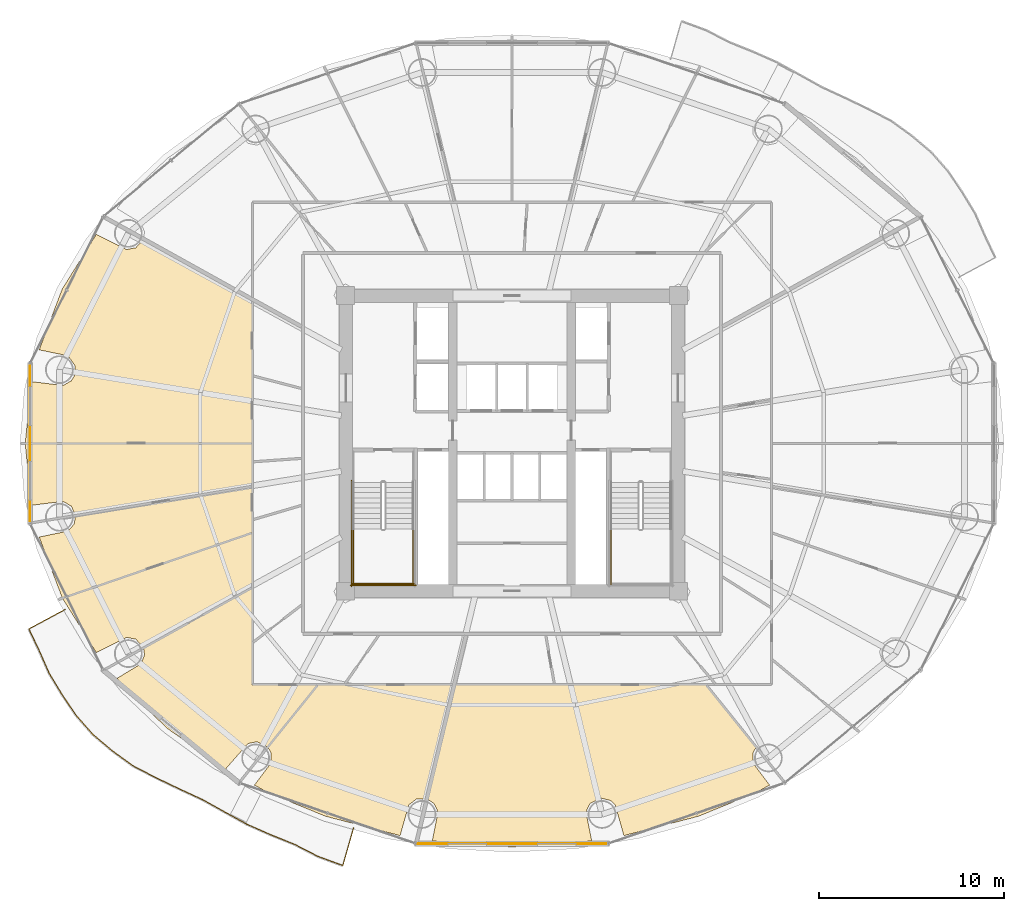
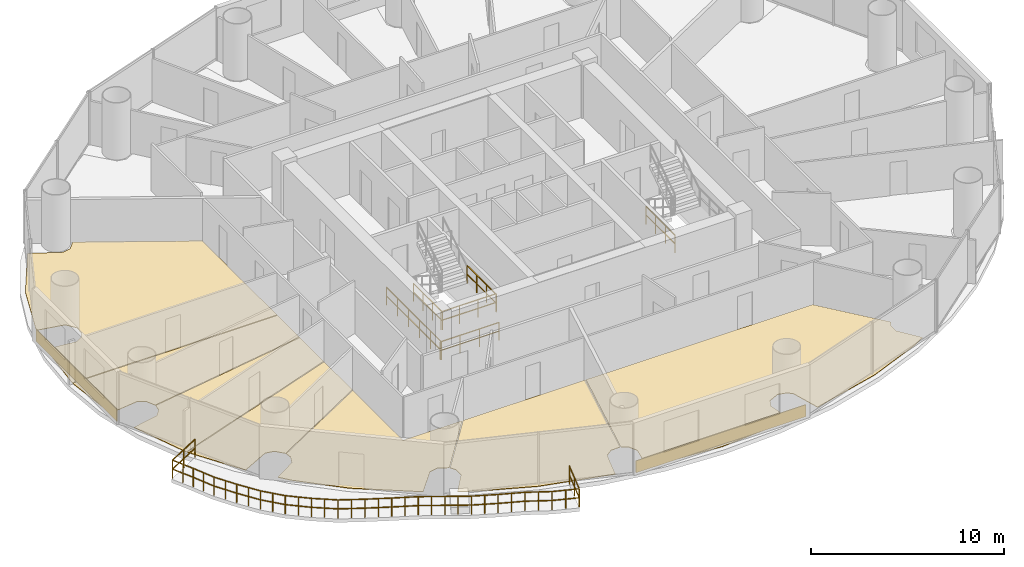
# One storey, part 26 of 29: 9 coverings, 7 railings.
"""IFC4 building model written with IfcOpenShell, lengths in metres."""

from ifc_helpers import new_model, si_unit, direction, frame, origin, origin_2d, place, context, subcontext, project, spatial, polyline, rectangle, outline, extrude, source, transform, mapped, material, layer, layer_set, type_object, element, save


model = new_model("IFC4")

# Units and contexts
model_context = context("Model", 3, precision=1e-05, world=origin(), true_north=direction((-0.2419218956, 0.970295726276)))
body_context = subcontext(model_context, "Body", "Model", "MODEL_VIEW")
ifc_project = project(units=[si_unit("LENGTHUNIT", "METRE"), si_unit("AREAUNIT", "SQUARE_METRE"), si_unit("VOLUMEUNIT", "CUBIC_METRE"), si_unit("PLANEANGLEUNIT", "RADIAN"), si_unit("MASSUNIT", "GRAM", prefix="KILO")], contexts=[model_context])

# Site, building, storey
site_placement = place(None, origin())
site = spatial("IfcSite", under=ifc_project, at=site_placement, CompositionType="ELEMENT")
building_placement = place(site_placement, origin())
building = spatial("IfcBuilding", under=site, at=building_placement, Name="Cobrevalo Terracotta Tower", CompositionType="ELEMENT")
storey_placement = place(building_placement, frame((0.0, 0.0, 97.800048828125)))
storey = spatial("IfcBuildingStorey", under=building, at=storey_placement, Name="L25", CompositionType="ELEMENT", Elevation=97.800048828125)

# Railing
ifc_material_1 = material(Name="Laminated structural glass and stainless steel", Category="steel")
railing_type_1 = type_object("IfcRailingType", Name="Balcony lobe structural glass & terracotta-cap balustrade 1180 mm", PredefinedType="BALUSTRADE", material=ifc_material_1)
railing_1_placement = place(storey_placement, frame((13.8369140625, 17.822265625, 0.0)))
element("IfcRailing", 1, at=railing_1_placement, inside=storey, type_object=railing_type_1, Name="L25 spiralling balcony lobe balustrade 2", PredefinedType="BALUSTRADE", context=body_context, shape_type="SweptSolid", body=[
    extrude(rectangle(XDim=0.048095703125, YDim=0.048095703125, at=origin_2d()), frame((0.0, 0.0, 1.15576171875), z_axis=(-0.880654656623, -0.473758773817, 0.0), x_axis=(0.473758773817, -0.880654656623, 0.0)), (0.0, 0.0, 1.0), 2.219970703125),
    extrude(rectangle(XDim=0.048095703125, YDim=0.048095703125, at=origin_2d()), frame((0.0, 0.0, 0.58984375), z_axis=(-0.880654656623, -0.473758773817, 0.0), x_axis=(0.473758773817, -0.880654656623, 0.0)), (0.0, 0.0, 1.0), 2.219970703125),
    extrude(rectangle(XDim=0.048095703125, YDim=0.048095703125, at=origin_2d()), frame((-1.955078125, -1.0517578125, 1.15576171875), z_axis=(0.428935186833, -0.903335267493, 0.0), x_axis=(0.903335267493, 0.428935186833, 0.0)), (0.0, 0.0, 1.0), 1.310302734375),
    extrude(rectangle(XDim=0.048095703125, YDim=0.048095703125, at=origin_2d()), frame((-1.955078125, -1.0517578125, 0.58984375), z_axis=(0.428935186833, -0.903335267493, 0.0), x_axis=(0.903335267493, 0.428935186833, 0.0)), (0.0, 0.0, 1.0), 1.310302734375),
    extrude(rectangle(XDim=0.048095703125, YDim=0.048095703125, at=origin_2d()), frame((-1.39306640625, -2.2353515625, 1.15576171875), z_axis=(0.402369319242, -0.915477433328, 0.0), x_axis=(0.915477433328, 0.402369319242, 0.0)), (0.0, 0.0, 1.0), 1.329345703125),
    extrude(rectangle(XDim=0.048095703125, YDim=0.048095703125, at=origin_2d()), frame((-1.39306640625, -2.2353515625, 0.58984375), z_axis=(0.402369319242, -0.915477433328, 0.0), x_axis=(0.915477433328, 0.402369319242, 0.0)), (0.0, 0.0, 1.0), 1.329345703125),
    extrude(rectangle(XDim=0.048095703125, YDim=0.048095703125, at=origin_2d()), frame((-0.858154296875, -3.452392578125, 1.15576171875), z_axis=(0.518425944482, -0.855122529283, 0.0), x_axis=(0.855122529283, 0.518425944482, 0.0)), (0.0, 0.0, 1.0), 1.35009765625),
    extrude(rectangle(XDim=0.048095703125, YDim=0.048095703125, at=origin_2d()), frame((-0.858154296875, -3.452392578125, 0.58984375), z_axis=(0.518425944482, -0.855122529283, 0.0), x_axis=(0.855122529283, 0.518425944482, 0.0)), (0.0, 0.0, 1.0), 1.35009765625),
    extrude(rectangle(XDim=0.048095703125, YDim=0.048095703125, at=origin_2d()), frame((-0.158203125, -4.60693359375, 1.15576171875), z_axis=(0.560167798675, -0.82837916278, 0.0), x_axis=(0.82837916278, 0.560167798675, 0.0)), (0.0, 0.0, 1.0), 1.357177734375),
    extrude(rectangle(XDim=0.048095703125, YDim=0.048095703125, at=origin_2d()), frame((-0.158203125, -4.60693359375, 0.58984375), z_axis=(0.560167798675, -0.82837916278, 0.0), x_axis=(0.82837916278, 0.560167798675, 0.0)), (0.0, 0.0, 1.0), 1.357177734375),
    extrude(rectangle(XDim=0.048095703125, YDim=0.048095703125, at=origin_2d()), frame((0.60205078125, -5.731201171875, 1.15576171875), z_axis=(0.660430011855, -0.750887607729, 0.0), x_axis=(0.750887607729, 0.660430011855, 0.0)), (0.0, 0.0, 1.0), 1.363037109375),
    extrude(rectangle(XDim=0.048095703125, YDim=0.048095703125, at=origin_2d()), frame((0.60205078125, -5.731201171875, 0.58984375), z_axis=(0.660430011855, -0.750887607729, 0.0), x_axis=(0.750887607729, 0.660430011855, 0.0)), (0.0, 0.0, 1.0), 1.363037109375),
    extrude(rectangle(XDim=0.048095703125, YDim=0.048095703125, at=origin_2d()), frame((1.502197265625, -6.754638671875, 1.15576171875), z_axis=(0.764324152968, -0.64483221786, 0.0), x_axis=(0.64483221786, 0.764324152968, 0.0)), (0.0, 0.0, 1.0), 1.381103515625),
    extrude(rectangle(XDim=0.048095703125, YDim=0.048095703125, at=origin_2d()), frame((1.502197265625, -6.754638671875, 0.58984375), z_axis=(0.764324152968, -0.64483221786, 0.0), x_axis=(0.64483221786, 0.764324152968, 0.0)), (0.0, 0.0, 1.0), 1.381103515625),
    extrude(rectangle(XDim=0.048095703125, YDim=0.048095703125, at=origin_2d()), frame((2.557861328125, -7.645263671875, 1.15576171875), z_axis=(0.809511240911, -0.587104378146, 0.0), x_axis=(0.587104378146, 0.809511240911, 0.0)), (0.0, 0.0, 1.0), 1.374267578125),
    extrude(rectangle(XDim=0.048095703125, YDim=0.048095703125, at=origin_2d()), frame((2.557861328125, -7.645263671875, 0.58984375), z_axis=(0.809511240911, -0.587104378146, 0.0), x_axis=(0.587104378146, 0.809511240911, 0.0)), (0.0, 0.0, 1.0), 1.374267578125),
    extrude(rectangle(XDim=0.048095703125, YDim=0.048095703125, at=origin_2d()), frame((3.67041015625, -8.4521484375, 1.15576171875), z_axis=(0.888024760842, -0.459795633006, 0.0), x_axis=(0.459795633006, 0.888024760842, 0.0)), (0.0, 0.0, 1.0), 1.40771484375),
    extrude(rectangle(XDim=0.048095703125, YDim=0.048095703125, at=origin_2d()), frame((3.67041015625, -8.4521484375, 0.58984375), z_axis=(0.888024760842, -0.459795633006, 0.0), x_axis=(0.459795633006, 0.888024760842, 0.0)), (0.0, 0.0, 1.0), 1.40771484375),
    extrude(rectangle(XDim=0.048095703125, YDim=0.048095703125, at=origin_2d()), frame((4.92041015625, -9.099365234375, 1.15576171875), z_axis=(0.90187008951, -0.432007339806, 0.0), x_axis=(0.432007339806, 0.90187008951, 0.0)), (0.0, 0.0, 1.0), 1.39306640625),
    extrude(rectangle(XDim=0.048095703125, YDim=0.048095703125, at=origin_2d()), frame((4.92041015625, -9.099365234375, 0.58984375), z_axis=(0.90187008951, -0.432007339806, 0.0), x_axis=(0.432007339806, 0.90187008951, 0.0)), (0.0, 0.0, 1.0), 1.39306640625),
    extrude(rectangle(XDim=0.048095703125, YDim=0.048095703125, at=origin_2d()), frame((6.1767578125, -9.701171875, 1.15576171875), z_axis=(0.907907568428, -0.419170427381, 0.0), x_axis=(0.419170427381, 0.907907568428, 0.0)), (0.0, 0.0, 1.0), 1.379150390625),
    extrude(rectangle(XDim=0.048095703125, YDim=0.048095703125, at=origin_2d()), frame((6.1767578125, -9.701171875, 0.58984375), z_axis=(0.907907568428, -0.419170427381, 0.0), x_axis=(0.419170427381, 0.907907568428, 0.0)), (0.0, 0.0, 1.0), 1.379150390625),
    extrude(rectangle(XDim=0.048095703125, YDim=0.048095703125, at=origin_2d()), frame((7.428955078125, -10.279296875, 1.15576171875), z_axis=(0.873923476072, -0.486063532855, 0.0), x_axis=(0.486063532855, 0.873923476072, 0.0)), (0.0, 0.0, 1.0), 1.3798828125),
    extrude(rectangle(XDim=0.048095703125, YDim=0.048095703125, at=origin_2d()), frame((7.428955078125, -10.279296875, 0.58984375), z_axis=(0.873923476072, -0.486063532855, 0.0), x_axis=(0.486063532855, 0.873923476072, 0.0)), (0.0, 0.0, 1.0), 1.3798828125),
    extrude(rectangle(XDim=0.048095703125, YDim=0.048095703125, at=origin_2d()), frame((8.634765625, -10.949951171875, 1.15576171875), z_axis=(0.875316536737, -0.483550370194, 0.0), x_axis=(0.483550370194, 0.875316536737, 0.0)), (0.0, 0.0, 1.0), 1.3779296875),
    extrude(rectangle(XDim=0.048095703125, YDim=0.048095703125, at=origin_2d()), frame((8.634765625, -10.949951171875, 0.58984375), z_axis=(0.875316536737, -0.483550370194, 0.0), x_axis=(0.483550370194, 0.875316536737, 0.0)), (0.0, 0.0, 1.0), 1.3779296875),
    extrude(rectangle(XDim=0.048095703125, YDim=0.048095703125, at=origin_2d()), frame((9.8408203125, -11.6162109375, 1.15576171875), z_axis=(0.914984335879, -0.403489361814, 0.0), x_axis=(0.403489361814, 0.914984335879, 0.0)), (0.0, 0.0, 1.0), 1.394775390625),
    extrude(rectangle(XDim=0.048095703125, YDim=0.048095703125, at=origin_2d()), frame((9.8408203125, -11.6162109375, 0.58984375), z_axis=(0.914984335879, -0.403489361814, 0.0), x_axis=(0.403489361814, 0.914984335879, 0.0)), (0.0, 0.0, 1.0), 1.394775390625),
    extrude(rectangle(XDim=0.048095703125, YDim=0.048095703125, at=origin_2d()), frame((11.116943359375, -12.178955078125, 1.15576171875), z_axis=(0.927632534186, -0.373494151922, 0.0), x_axis=(0.373494151922, 0.927632534186, 0.0)), (0.0, 0.0, 1.0), 1.400146484375),
    extrude(rectangle(XDim=0.048095703125, YDim=0.048095703125, at=origin_2d()), frame((11.116943359375, -12.178955078125, 0.58984375), z_axis=(0.927632534186, -0.373494151922, 0.0), x_axis=(0.373494151922, 0.927632534186, 0.0)), (0.0, 0.0, 1.0), 1.400146484375),
    extrude(rectangle(XDim=0.048095703125, YDim=0.048095703125, at=origin_2d()), frame((12.415771484375, -12.701904296875, 1.15576171875), z_axis=(0.889093541304, -0.457725545291, 0.0), x_axis=(0.457725545291, 0.889093541304, 0.0)), (0.0, 0.0, 1.0), 1.417236328125),
    extrude(rectangle(XDim=0.048095703125, YDim=0.048095703125, at=origin_2d()), frame((12.415771484375, -12.701904296875, 0.58984375), z_axis=(0.889093541304, -0.457725545291, 0.0), x_axis=(0.457725545291, 0.889093541304, 0.0)), (0.0, 0.0, 1.0), 1.417236328125),
    extrude(rectangle(XDim=0.048095703125, YDim=0.048095703125, at=origin_2d()), frame((13.67578125, -13.3505859375, 1.15576171875), z_axis=(0.938977530428, -0.343978483849, 0.0), x_axis=(0.343978483849, 0.938977530428, 0.0)), (0.0, 0.0, 1.0), 1.4287109375),
    extrude(rectangle(XDim=0.048095703125, YDim=0.048095703125, at=origin_2d()), frame((13.67578125, -13.3505859375, 0.58984375), z_axis=(0.938977530428, -0.343978483849, 0.0), x_axis=(0.343978483849, 0.938977530428, 0.0)), (0.0, 0.0, 1.0), 1.4287109375),
    extrude(rectangle(XDim=0.048095703125, YDim=0.048095703125, at=origin_2d()), frame((15.017333984375, -13.842041015625, 1.15576171875), z_axis=(0.27399121644, 0.961732194176, 0.0), x_axis=(-0.961732194176, 0.27399121644, 0.0)), (0.0, 0.0, 1.0), 2.12060546875),
    extrude(rectangle(XDim=0.048095703125, YDim=0.048095703125, at=origin_2d()), frame((15.017333984375, -13.842041015625, 0.58984375), z_axis=(0.27399121644, 0.961732194176, 0.0), x_axis=(-0.961732194176, 0.27399121644, 0.0)), (0.0, 0.0, 1.0), 2.12060546875),
    extrude(rectangle(XDim=0.0419921875, YDim=0.0419921875, at=origin_2d()), origin(), (0.0, 0.0, 1.0), 1.1318359375),
    extrude(rectangle(XDim=0.0419921875, YDim=0.0419921875, at=origin_2d()), frame((-0.9775390625, -0.52587890625, 0.0)), (0.0, 0.0, 1.0), 1.1318359375),
    extrude(rectangle(XDim=0.0419921875, YDim=0.0419921875, at=origin_2d()), frame((-1.955078125, -1.0517578125, 0.0)), (0.0, 0.0, 1.0), 1.1318359375),
    extrude(rectangle(XDim=0.0419921875, YDim=0.0419921875, at=origin_2d()), frame((-1.674072265625, -1.6435546875, 0.0)), (0.0, 0.0, 1.0), 1.1318359375),
    extrude(rectangle(XDim=0.0419921875, YDim=0.0419921875, at=origin_2d()), frame((-1.39306640625, -2.2353515625, 0.0)), (0.0, 0.0, 1.0), 1.1318359375),
    extrude(rectangle(XDim=0.0419921875, YDim=0.0419921875, at=origin_2d()), frame((-1.12548828125, -2.84375, 0.0)), (0.0, 0.0, 1.0), 1.1318359375),
    extrude(rectangle(XDim=0.0419921875, YDim=0.0419921875, at=origin_2d()), frame((-0.858154296875, -3.452392578125, 0.0)), (0.0, 0.0, 1.0), 1.1318359375),
    extrude(rectangle(XDim=0.0419921875, YDim=0.0419921875, at=origin_2d()), frame((-0.50830078125, -4.02978515625, 0.0)), (0.0, 0.0, 1.0), 1.1318359375),
    extrude(rectangle(XDim=0.0419921875, YDim=0.0419921875, at=origin_2d()), frame((-0.158203125, -4.60693359375, 0.0)), (0.0, 0.0, 1.0), 1.1318359375),
    extrude(rectangle(XDim=0.0419921875, YDim=0.0419921875, at=origin_2d()), frame((0.221923828125, -5.1689453125, 0.0)), (0.0, 0.0, 1.0), 1.1318359375),
    extrude(rectangle(XDim=0.0419921875, YDim=0.0419921875, at=origin_2d()), frame((0.60205078125, -5.731201171875, 0.0)), (0.0, 0.0, 1.0), 1.1318359375),
    extrude(rectangle(XDim=0.0419921875, YDim=0.0419921875, at=origin_2d()), frame((1.05224609375, -6.242919921875, 0.0)), (0.0, 0.0, 1.0), 1.1318359375),
    extrude(rectangle(XDim=0.0419921875, YDim=0.0419921875, at=origin_2d()), frame((1.502197265625, -6.754638671875, 0.0)), (0.0, 0.0, 1.0), 1.1318359375),
    extrude(rectangle(XDim=0.0419921875, YDim=0.0419921875, at=origin_2d()), frame((2.030029296875, -7.199951171875, 0.0)), (0.0, 0.0, 1.0), 1.1318359375),
    extrude(rectangle(XDim=0.0419921875, YDim=0.0419921875, at=origin_2d()), frame((2.557861328125, -7.645263671875, 0.0)), (0.0, 0.0, 1.0), 1.1318359375),
    extrude(rectangle(XDim=0.0419921875, YDim=0.0419921875, at=origin_2d()), frame((3.1142578125, -8.048828125, 0.0)), (0.0, 0.0, 1.0), 1.1318359375),
    extrude(rectangle(XDim=0.0419921875, YDim=0.0419921875, at=origin_2d()), frame((3.67041015625, -8.4521484375, 0.0)), (0.0, 0.0, 1.0), 1.1318359375),
    extrude(rectangle(XDim=0.0419921875, YDim=0.0419921875, at=origin_2d()), frame((4.29541015625, -8.77587890625, 0.0)), (0.0, 0.0, 1.0), 1.1318359375),
    extrude(rectangle(XDim=0.0419921875, YDim=0.0419921875, at=origin_2d()), frame((4.92041015625, -9.099365234375, 0.0)), (0.0, 0.0, 1.0), 1.1318359375),
    extrude(rectangle(XDim=0.0419921875, YDim=0.0419921875, at=origin_2d()), frame((5.548583984375, -9.400390625, 0.0)), (0.0, 0.0, 1.0), 1.1318359375),
    extrude(rectangle(XDim=0.0419921875, YDim=0.0419921875, at=origin_2d()), frame((6.1767578125, -9.701171875, 0.0)), (0.0, 0.0, 1.0), 1.1318359375),
    extrude(rectangle(XDim=0.0419921875, YDim=0.0419921875, at=origin_2d()), frame((6.802734375, -9.990234375, 0.0)), (0.0, 0.0, 1.0), 1.1318359375),
    extrude(rectangle(XDim=0.0419921875, YDim=0.0419921875, at=origin_2d()), frame((7.428955078125, -10.279296875, 0.0)), (0.0, 0.0, 1.0), 1.1318359375),
    extrude(rectangle(XDim=0.0419921875, YDim=0.0419921875, at=origin_2d()), frame((8.03173828125, -10.61474609375, 0.0)), (0.0, 0.0, 1.0), 1.1318359375),
    extrude(rectangle(XDim=0.0419921875, YDim=0.0419921875, at=origin_2d()), frame((8.634765625, -10.949951171875, 0.0)), (0.0, 0.0, 1.0), 1.1318359375),
    extrude(rectangle(XDim=0.0419921875, YDim=0.0419921875, at=origin_2d()), frame((9.23779296875, -11.283203125, 0.0)), (0.0, 0.0, 1.0), 1.1318359375),
    extrude(rectangle(XDim=0.0419921875, YDim=0.0419921875, at=origin_2d()), frame((9.8408203125, -11.6162109375, 0.0)), (0.0, 0.0, 1.0), 1.1318359375),
    extrude(rectangle(XDim=0.0419921875, YDim=0.0419921875, at=origin_2d()), frame((10.47900390625, -11.8974609375, 0.0)), (0.0, 0.0, 1.0), 1.1318359375),
    extrude(rectangle(XDim=0.0419921875, YDim=0.0419921875, at=origin_2d()), frame((11.116943359375, -12.178955078125, 0.0)), (0.0, 0.0, 1.0), 1.1318359375),
    extrude(rectangle(XDim=0.0419921875, YDim=0.0419921875, at=origin_2d()), frame((11.766357421875, -12.4404296875, 0.0)), (0.0, 0.0, 1.0), 1.1318359375),
    extrude(rectangle(XDim=0.0419921875, YDim=0.0419921875, at=origin_2d()), frame((12.415771484375, -12.701904296875, 0.0)), (0.0, 0.0, 1.0), 1.1318359375),
    extrude(rectangle(XDim=0.0419921875, YDim=0.0419921875, at=origin_2d()), frame((13.0458984375, -13.0263671875, 0.0)), (0.0, 0.0, 1.0), 1.1318359375),
    extrude(rectangle(XDim=0.0419921875, YDim=0.0419921875, at=origin_2d()), frame((13.67578125, -13.3505859375, 0.0)), (0.0, 0.0, 1.0), 1.1318359375),
    extrude(rectangle(XDim=0.0419921875, YDim=0.0419921875, at=origin_2d()), frame((14.3466796875, -13.59619140625, 0.0)), (0.0, 0.0, 1.0), 1.1318359375),
    extrude(rectangle(XDim=0.0419921875, YDim=0.0419921875, at=origin_2d()), frame((15.017333984375, -13.842041015625, 0.0)), (0.0, 0.0, 1.0), 1.1318359375),
    extrude(rectangle(XDim=0.0419921875, YDim=0.0419921875, at=origin_2d()), frame((15.307861328125, -12.822265625, 0.0)), (0.0, 0.0, 1.0), 1.1318359375),
    extrude(rectangle(XDim=0.0419921875, YDim=0.0419921875, at=origin_2d()), frame((15.598388671875, -11.802490234375, 0.0)), (0.0, 0.0, 1.0), 1.1318359375),
])

# Coverings
ifc_material_2 = material(Name="Engineered Brazilian hardwood flooring", Category="wood")
ifc_layer_1 = layer(ifc_material_2, 0.028076171875)
ifc_layer_set_1 = layer_set([ifc_layer_1], Name="Engineered Brazilian hardwood flooring")
covering_type_1 = type_object("IfcCoveringType", Name="Engineered Hardwood Suite Flooring 28", PredefinedType="FLOORING", material=ifc_layer_set_1)
covering_1_placement = place(storey_placement, origin())
element("IfcCovering", 2, at=covering_1_placement, inside=storey, type_object=covering_type_1, Name="Flat L25B Penthouse Living and Dining Room floor finish", PredefinedType="FLOORING", context=body_context, shape_type="SweptSolid", body=[
    extrude(outline(polyline([(12.024169921875, 30.143310546875), (13.73095703125, 29.932861328125), (14.1728515625, 30.189208984375), (14.353759765625, 30.481201171875), (14.38623046875, 30.9912109375), (13.99267578125, 31.537841796875), (12.435791015625, 31.859619140625), (13.682861328125, 35.14892578125), (15.525146484375, 38.10546875), (17.15966796875, 37.286376953125), (17.661865234375, 37.381103515625), (18.0703125, 37.8408203125), (23.945068359375, 34.57958984375), (23.945068359375, 26.820068359375), (11.681640625, 26.820068359375), (12.024169921875, 30.143310546875)])), origin(), (0.0, 0.0, 1.0), 0.030029296875),
])
covering_2_placement = place(storey_placement, origin())
element("IfcCovering", 3, at=covering_2_placement, inside=storey, type_object=covering_type_1, Name="Flat L25B Master Bedroom floor finish", PredefinedType="FLOORING", context=body_context, shape_type="SweptSolid", body=[
    extrude(outline(polyline([(11.681640625, 26.780029296875), (23.945068359375, 26.780029296875), (23.945068359375, 24.49755859375), (14.39697265625, 22.919677734375), (14.1728515625, 23.41064453125), (13.73095703125, 23.6669921875), (12.024169921875, 23.45654296875), (11.681640625, 26.780029296875)])), origin(), (0.0, 0.0, 1.0), 0.030029296875),
])
covering_3_placement = place(storey_placement, origin())
element("IfcCovering", 4, at=covering_3_placement, inside=storey, type_object=covering_type_1, Name="Flat L25B Principal Guest Bedroom floor finish", PredefinedType="FLOORING", context=body_context, shape_type="SweptSolid", body=[
    extrude(outline(polyline([(13.6845703125, 18.453369140625), (12.435791015625, 21.740478515625), (13.99267578125, 22.06201171875), (14.330322265625, 22.445556640625), (14.402587890625, 22.8798828125), (23.945068359375, 24.45703125), (23.945068359375, 21.984375), (13.6845703125, 18.453369140625)])), origin(), (0.0, 0.0, 1.0), 0.030029296875),
])
covering_4_placement = place(storey_placement, origin())
element("IfcCovering", 5, at=covering_4_placement, inside=storey, type_object=covering_type_1, Name="Flat L25B North Bedroom floor finish", PredefinedType="FLOORING", context=body_context, shape_type="SweptSolid", body=[
    extrude(outline(polyline([(13.703125, 18.417236328125), (23.945068359375, 21.94189453125), (23.945068359375, 19.020263671875), (18.0703125, 15.759033203125), (17.661865234375, 16.218994140625), (17.15966796875, 16.3134765625), (15.525146484375, 15.49462890625), (13.703125, 18.417236328125)])), origin(), (0.0, 0.0, 1.0), 0.030029296875),
])
covering_5_placement = place(storey_placement, origin())
element("IfcCovering", 6, at=covering_5_placement, inside=storey, type_object=covering_type_1, Name="Flat L25B Penthouse Family Lounge floor finish", PredefinedType="FLOORING", context=body_context, shape_type="SweptSolid", body=[
    extrude(outline(polyline([(19.3876953125, 11.372314453125), (17.117919921875, 13.518310546875), (16.64697265625, 14.102294921875), (17.94091796875, 14.88720703125), (18.131591796875, 15.361328125), (18.083740234375, 15.720703125), (23.945068359375, 18.974609375), (23.945068359375, 13.7451171875), (27.47509765625, 13.7451171875), (24.780029296875, 10.393798828125), (24.221923828125, 10.672607421875), (23.72119140625, 10.5712890625), (22.511474609375, 9.193359375), (19.3876953125, 11.372314453125)])), origin(), (0.0, 0.0, 1.0), 0.030029296875),
])
covering_6_placement = place(storey_placement, origin())
element("IfcCovering", 7, at=covering_6_placement, inside=storey, type_object=covering_type_1, Name="Flat L25B Penthouse Family Lounge floor finish", PredefinedType="FLOORING", context=body_context, shape_type="SweptSolid", body=[
    extrude(outline(polyline([(24.07568359375, 8.32666015625), (24.9814453125, 9.543701171875), (24.97998046875, 10.0546875), (24.806640625, 10.36328125), (27.5263671875, 13.7451171875), (34.853759765625, 13.7451171875), (33.37890625, 7.584716796875), (32.829833984375, 7.5693359375), (32.421875, 7.261962890625), (31.94921875, 5.59814453125), (27.926513671875, 6.641357421875), (24.838623046875, 7.904052734375), (24.07568359375, 8.32666015625)])), origin(), (0.0, 0.0, 1.0), 0.030029296875),
])
covering_7_placement = place(storey_placement, origin())
element("IfcCovering", 8, at=covering_7_placement, inside=storey, type_object=covering_type_1, Name="Flat L25C Penthouse Living and Dining Room floor finish", PredefinedType="FLOORING", context=body_context, shape_type="SweptSolid", body=[
    extrude(outline(polyline([(48.073486328125, 6.641357421875), (44.05078125, 5.59814453125), (43.578125, 7.261962890625), (43.325439453125, 7.494384765625), (42.830810546875, 7.622314453125), (42.2197265625, 7.3388671875), (41.997802734375, 6.87841796875), (42.3095703125, 5.310791015625), (38.0, 4.97998046875), (33.6904296875, 5.310791015625), (34.002197265625, 6.87841796875), (33.7802734375, 7.3388671875), (33.4169921875, 7.5712890625), (34.89501953125, 13.7451171875), (48.4736328125, 13.7451171875), (51.193359375, 10.36328125), (51.02001953125, 10.0546875), (51.0185546875, 9.543701171875), (51.92431640625, 8.32666015625), (51.161376953125, 7.904052734375), (48.073486328125, 6.641357421875)])), origin(), (0.0, 0.0, 1.0), 0.030029296875),
])

# Railings
ifc_material_3 = material(Name="Painted galvanized steel", Category="steel")
railing_type_2 = type_object("IfcRailingType", Name="Stair Well Guard Balustrade 1150", PredefinedType="GUARDRAIL", material=ifc_material_3)
for number, where, name in (
    (9, (29.425048828125, 22.179931640625, 1.800048828125), "L25 ST-1 stair guard 3"),
    (10, (32.64501953125, 22.179931640625, 1.800048828125), "L25 ST-1 stair guard 4"),
):
    element("IfcRailing", number, at=place(storey_placement, frame(where)), inside=storey, type_object=railing_type_2, Name=name, PredefinedType="GUARDRAIL", context=body_context, shape_type="SweptSolid", body=[
        extrude(rectangle(XDim=0.048095703125, YDim=0.048095703125, at=origin_2d()), frame((0.0, 0.0, 1.1259765625), z_axis=(0.0, -1.0, 0.0), x_axis=(1.0, 0.0, 0.0)), (0.0, 0.0, 1.0), 3.0048828125),
        extrude(rectangle(XDim=0.048095703125, YDim=0.048095703125, at=origin_2d()), frame((0.0, 0.0, 0.574951171875), z_axis=(0.0, -1.0, 0.0), x_axis=(1.0, 0.0, 0.0)), (0.0, 0.0, 1.0), 3.0048828125),
        extrude(rectangle(XDim=0.0419921875, YDim=0.0419921875, at=origin_2d()), origin(), (0.0, 0.0, 1.0), 1.101806640625),
        extrude(rectangle(XDim=0.0419921875, YDim=0.0419921875, at=origin_2d()), frame((0.0, -1.001708984375, 0.0)), (0.0, 0.0, 1.0), 1.101806640625),
        extrude(rectangle(XDim=0.0419921875, YDim=0.0419921875, at=origin_2d()), frame((0.0, -2.003173828125, 0.0)), (0.0, 0.0, 1.0), 1.101806640625),
        extrude(rectangle(XDim=0.0419921875, YDim=0.0419921875, at=origin_2d()), frame((0.0, -3.0048828125, 0.0)), (0.0, 0.0, 1.0), 1.101806640625),
    ])
railing_2_placement = place(storey_placement, frame((29.375, 19.22509765625, 1.800048828125)))
element("IfcRailing", 11, at=railing_2_placement, inside=storey, type_object=railing_type_2, Name="L25 ST-1 stair guard 5", PredefinedType="GUARDRAIL", context=body_context, shape_type="SweptSolid", body=[
    extrude(rectangle(XDim=0.048095703125, YDim=0.048095703125, at=origin_2d()), frame((0.0, 0.0, 1.1259765625), z_axis=(1.0, 0.0, 0.0), x_axis=(0.0, 1.0, 0.0)), (0.0, 0.0, 1.0), 3.320068359375),
    extrude(rectangle(XDim=0.048095703125, YDim=0.048095703125, at=origin_2d()), frame((0.0, 0.0, 0.574951171875), z_axis=(1.0, 0.0, 0.0), x_axis=(0.0, 1.0, 0.0)), (0.0, 0.0, 1.0), 3.320068359375),
    extrude(rectangle(XDim=0.0419921875, YDim=0.0419921875, at=origin_2d()), origin(), (0.0, 0.0, 1.0), 1.101806640625),
    extrude(rectangle(XDim=0.0419921875, YDim=0.0419921875, at=origin_2d()), frame((1.106689453125, 0.0, 0.0)), (0.0, 0.0, 1.0), 1.101806640625),
    extrude(rectangle(XDim=0.0419921875, YDim=0.0419921875, at=origin_2d()), frame((2.21337890625, 0.0, 0.0)), (0.0, 0.0, 1.0), 1.101806640625),
    extrude(rectangle(XDim=0.0419921875, YDim=0.0419921875, at=origin_2d()), frame((3.320068359375, 0.0, 0.0)), (0.0, 0.0, 1.0), 1.101806640625),
])
railing_3_placement = place(storey_placement, frame((29.324951171875, 24.800048828125, 0.0)))
element("IfcRailing", 12, at=railing_3_placement, inside=storey, type_object=railing_type_2, Name="L25 ST-1 stair guard 10", PredefinedType="GUARDRAIL", context=body_context, shape_type="SweptSolid", body=[
    extrude(rectangle(XDim=0.048095703125, YDim=0.048095703125, at=origin_2d()), frame((0.0, 0.0, 1.1259765625), z_axis=(0.0, -1.0, 0.0), x_axis=(1.0, 0.0, 0.0)), (0.0, 0.0, 1.0), 5.72509765625),
    extrude(rectangle(XDim=0.048095703125, YDim=0.048095703125, at=origin_2d()), frame((0.0, 0.0, 0.574951171875), z_axis=(0.0, -1.0, 0.0), x_axis=(1.0, 0.0, 0.0)), (0.0, 0.0, 1.0), 5.72509765625),
    extrude(rectangle(XDim=0.0419921875, YDim=0.0419921875, at=origin_2d()), origin(), (0.0, 0.0, 1.0), 1.101806640625),
    extrude(rectangle(XDim=0.0419921875, YDim=0.0419921875, at=origin_2d()), frame((0.0, -1.14501953125, 0.0)), (0.0, 0.0, 1.0), 1.101806640625),
    extrude(rectangle(XDim=0.0419921875, YDim=0.0419921875, at=origin_2d()), frame((0.0, -2.2900390625, 0.0)), (0.0, 0.0, 1.0), 1.101806640625),
    extrude(rectangle(XDim=0.0419921875, YDim=0.0419921875, at=origin_2d()), frame((0.0, -3.43505859375, 0.0)), (0.0, 0.0, 1.0), 1.101806640625),
    extrude(rectangle(XDim=0.0419921875, YDim=0.0419921875, at=origin_2d()), frame((0.0, -4.580078125, 0.0)), (0.0, 0.0, 1.0), 1.101806640625),
    extrude(rectangle(XDim=0.0419921875, YDim=0.0419921875, at=origin_2d()), frame((0.0, -5.72509765625, 0.0)), (0.0, 0.0, 1.0), 1.101806640625),
])
railing_4_placement = place(storey_placement, frame((29.27490234375, 19.125, 0.0)))
element("IfcRailing", 13, at=railing_4_placement, inside=storey, type_object=railing_type_2, Name="L25 ST-1 stair guard 12", PredefinedType="GUARDRAIL", context=body_context, shape_type="SweptSolid", body=[
    extrude(rectangle(XDim=0.048095703125, YDim=0.048095703125, at=origin_2d()), frame((0.0, 0.0, 1.1259765625), z_axis=(1.0, 0.0, 0.0), x_axis=(0.0, 1.0, 0.0)), (0.0, 0.0, 1.0), 3.52001953125),
    extrude(rectangle(XDim=0.048095703125, YDim=0.048095703125, at=origin_2d()), frame((0.0, 0.0, 0.574951171875), z_axis=(1.0, 0.0, 0.0), x_axis=(0.0, 1.0, 0.0)), (0.0, 0.0, 1.0), 3.52001953125),
    extrude(rectangle(XDim=0.0419921875, YDim=0.0419921875, at=origin_2d()), origin(), (0.0, 0.0, 1.0), 1.101806640625),
    extrude(rectangle(XDim=0.0419921875, YDim=0.0419921875, at=origin_2d()), frame((1.17333984375, 0.0, 0.0)), (0.0, 0.0, 1.0), 1.101806640625),
    extrude(rectangle(XDim=0.0419921875, YDim=0.0419921875, at=origin_2d()), frame((2.3466796875, 0.0, 0.0)), (0.0, 0.0, 1.0), 1.101806640625),
    extrude(rectangle(XDim=0.0419921875, YDim=0.0419921875, at=origin_2d()), frame((3.52001953125, 0.0, 0.0)), (0.0, 0.0, 1.0), 1.101806640625),
])
railing_5_placement = place(storey_placement, frame((43.35498046875, 22.179931640625, 1.800048828125)))
element("IfcRailing", 14, at=railing_5_placement, inside=storey, type_object=railing_type_2, Name="L25 ST-2 stair guard 3", PredefinedType="GUARDRAIL", context=body_context, shape_type="SweptSolid", body=[
    extrude(rectangle(XDim=0.048095703125, YDim=0.048095703125, at=origin_2d()), frame((0.0, 0.0, 1.1259765625), z_axis=(0.0, -1.0, 0.0), x_axis=(1.0, 0.0, 0.0)), (0.0, 0.0, 1.0), 3.0048828125),
    extrude(rectangle(XDim=0.048095703125, YDim=0.048095703125, at=origin_2d()), frame((0.0, 0.0, 0.574951171875), z_axis=(0.0, -1.0, 0.0), x_axis=(1.0, 0.0, 0.0)), (0.0, 0.0, 1.0), 3.0048828125),
    extrude(rectangle(XDim=0.0419921875, YDim=0.0419921875, at=origin_2d()), origin(), (0.0, 0.0, 1.0), 1.101806640625),
    extrude(rectangle(XDim=0.0419921875, YDim=0.0419921875, at=origin_2d()), frame((0.0, -1.001708984375, 0.0)), (0.0, 0.0, 1.0), 1.101806640625),
    extrude(rectangle(XDim=0.0419921875, YDim=0.0419921875, at=origin_2d()), frame((0.0, -2.003173828125, 0.0)), (0.0, 0.0, 1.0), 1.101806640625),
    extrude(rectangle(XDim=0.0419921875, YDim=0.0419921875, at=origin_2d()), frame((0.0, -3.0048828125, 0.0)), (0.0, 0.0, 1.0), 1.101806640625),
])

# Coverings
ifc_material_4 = material(Name="Glazed terracotta facade cladding tile", Category="masonry")
ifc_layer_2 = layer(ifc_material_4, 0.044921875)
ifc_layer_set_2 = layer_set([ifc_layer_2], Name="Glazed terracotta facade cladding tile")
covering_type_2 = type_object("IfcCoveringType", Name="Architectural terracotta rainscreen spandrel cladding 45 mm", PredefinedType="CLADDING", material=ifc_layer_set_2)
shared_shape_1 = source(origin(), body_context, "Body", "SweptSolid", [
    extrude(rectangle(XDim=10.1669921875, YDim=0.044921875, at=origin_2d()), origin(), (0.0, 0.0, 1.0), 0.760009765625),
])
covering_8_placement = place(storey_placement, frame((38.0, 5.154052734375, 0.0400390625), z_axis=(0.0, 0.0, 1.0), x_axis=(1.0, 0.0, 0.0)))
element("IfcCovering", 15, at=covering_8_placement, inside=storey, type_object=covering_type_2, Name="L25 terracotta spandrel cladding S12", PredefinedType="CLADDING", context=body_context, shape_type="MappedRepresentation", body=[
    mapped(shared_shape_1, transform((0.0, 0.0, 0.0), scale=1.0)),
])
shared_shape_2 = source(origin(), body_context, "Body", "SweptSolid", [
    extrude(rectangle(XDim=8.411376953125, YDim=0.044921875, at=origin_2d()), origin(), (0.0, 0.0, 1.0), 0.760009765625),
])
covering_9_placement = place(storey_placement, frame((11.9404296875, 26.800048828125, 0.0400390625), z_axis=(0.0, 0.0, 1.0), x_axis=(0.0, -1.0, 0.0)))
element("IfcCovering", 16, at=covering_9_placement, inside=storey, type_object=covering_type_2, Name="L25 terracotta spandrel cladding S08", PredefinedType="CLADDING", context=body_context, shape_type="MappedRepresentation", body=[
    mapped(shared_shape_2, transform((0.0, 0.0, 0.0), scale=1.0)),
])

save(model, "model.ifc")
